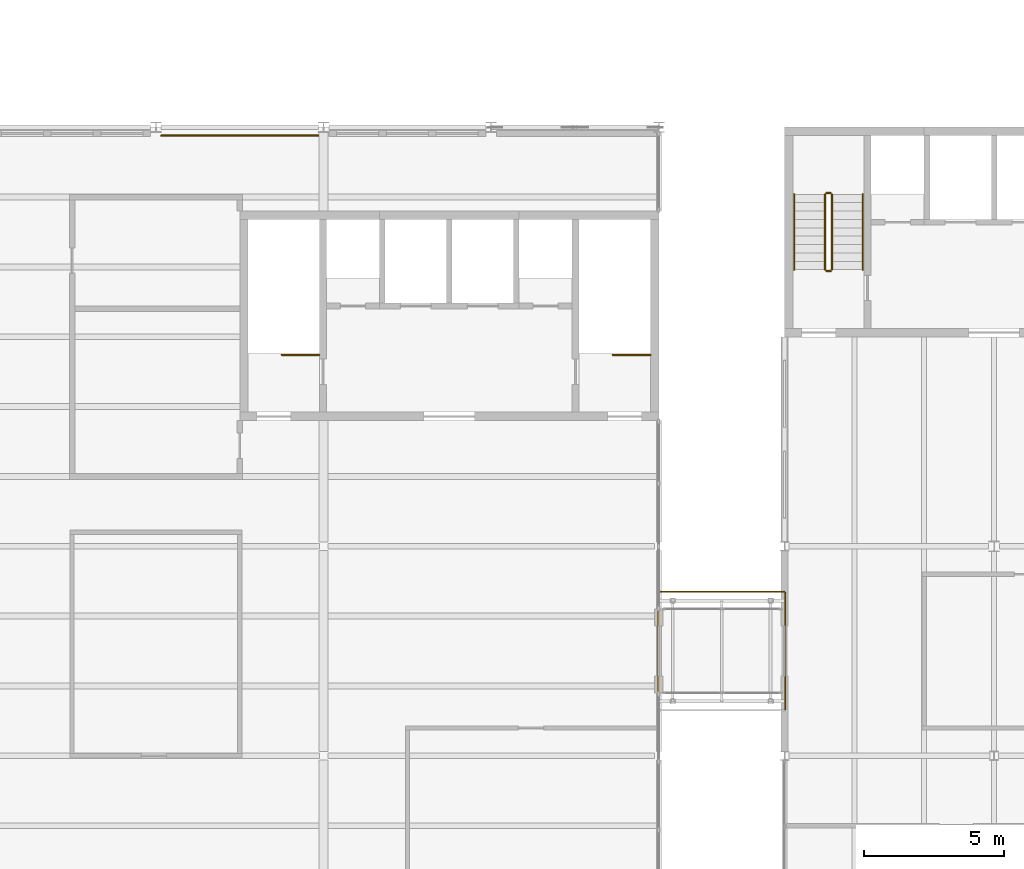
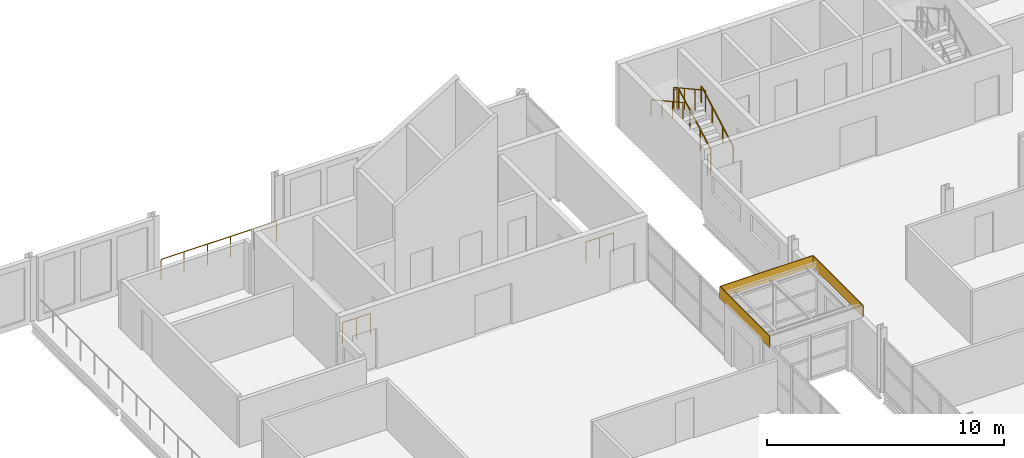
# One storey, part 195 of 214: 9 railings, 3 coverings.
"""IFC4 building model written with IfcOpenShell, lengths in metres."""

from ifc_helpers import new_model, si_unit, direction, frame, origin, origin_2d, place, context, subcontext, project, spatial, polyline, circle, outline, extrude, material, layer, layer_set, type_object, element, save


model = new_model("IFC4")

# Units and contexts
model_context = context("Model", 3, precision=1e-05, world=origin(), true_north=direction((0.0, 1.0)))
body_context = subcontext(model_context, "Body", "Model", "MODEL_VIEW")
ifc_project = project(units=[si_unit("LENGTHUNIT", "METRE"), si_unit("AREAUNIT", "SQUARE_METRE"), si_unit("VOLUMEUNIT", "CUBIC_METRE"), si_unit("PLANEANGLEUNIT", "RADIAN"), si_unit("MASSUNIT", "GRAM", prefix="KILO")], contexts=[model_context])

# Site, building, storey
site_placement = place(None, origin())
site = spatial("IfcSite", under=ifc_project, at=site_placement, CompositionType="ELEMENT")
building_placement = place(site_placement, origin())
building = spatial("IfcBuilding", under=site, at=building_placement, Name="Parallax Yard Mobility Hub", CompositionType="ELEMENT")
storey_placement = place(building_placement, frame((0.0, 0.0, 3.300048828125)))
storey = spatial("IfcBuildingStorey", under=building, at=storey_placement, Name="L01", CompositionType="ELEMENT", Elevation=3.300048828125)

# Railing
ifc_material_1 = material(Name="Steel ASTM A36", Category="steel")
railing_type_1 = type_object("IfcRailingType", Name="Mezzanine edge guard 1100", PredefinedType="GUARDRAIL", material=ifc_material_1)
railing_1_placement = place(storey_placement, frame((75.1865234375, 52.199951171875, 0.0)))
element("IfcRailing", 1, at=railing_1_placement, inside=storey, type_object=railing_type_1, Name="Bus deck mezzanine north edge guard level L01", PredefinedType="GUARDRAIL", context=body_context, shape_type="SweptSolid", body=[
    extrude(circle(Radius=0.02392578125, at=origin_2d()), frame((0.0, 0.0, 1.076171875), z_axis=(1.0, 0.0, 0.0), x_axis=(0.0, 1.0, 0.0)), (0.0, 0.0, 1.0), 5.626953125),
    extrude(circle(Radius=0.02099609375, at=origin_2d()), origin(), (0.0, 0.0, 1.0), 1.052001953125),
    extrude(circle(Radius=0.02099609375, at=origin_2d()), frame((1.12548828125, 0.0, 0.0)), (0.0, 0.0, 1.0), 1.052001953125),
    extrude(circle(Radius=0.02099609375, at=origin_2d()), frame((2.250732421875, 0.0, 0.0)), (0.0, 0.0, 1.0), 1.052001953125),
    extrude(circle(Radius=0.02099609375, at=origin_2d()), frame((3.376220703125, 0.0, 0.0)), (0.0, 0.0, 1.0), 1.052001953125),
    extrude(circle(Radius=0.02099609375, at=origin_2d()), frame((4.50146484375, 0.0, 0.0)), (0.0, 0.0, 1.0), 1.052001953125),
    extrude(circle(Radius=0.02099609375, at=origin_2d()), frame((5.626953125, 0.0, 0.0)), (0.0, 0.0, 1.0), 1.052001953125),
])

# Coverings
ifc_material_2 = material(Name="Aluminium composite fascia panel", Category="aluminium")
ifc_layer = layer(ifc_material_2, 0.0400390625)
ifc_layer_set = layer_set([ifc_layer], Name="Roof fascia 600")
covering_type = type_object("IfcCoveringType", Name="Roof fascia 600", PredefinedType="CLADDING", material=ifc_layer_set)
covering_1_placement = place(storey_placement, frame((97.5, 31.64990234375, 3.368896484375), z_axis=(-1.0, 0.0, 0.0), x_axis=(0.0, 1.0, 0.0)))
element("IfcCovering", 2, at=covering_1_placement, inside=storey, type_object=covering_type, Name="Fascia on roof edge BR-BR1-RF edge 2", PredefinedType="CLADDING", context=body_context, shape_type="SweptSolid", body=[
    extrude(outline(polyline([(0.0, 0.0), (4.2001953125, 0.0), (4.2001953125, 0.599853515625), (0.0, 0.599853515625), (0.0, 0.0)])), origin(), (0.0, 0.0, -1.0), 0.0400390625),
])
covering_2_placement = place(storey_placement, frame((97.5, 35.85009765625, 3.368896484375), z_axis=(0.0, -1.0, 0.0), x_axis=(-1.0, 0.0, 0.0)))
element("IfcCovering", 3, at=covering_2_placement, inside=storey, type_object=covering_type, Name="Fascia on roof edge BR-BR1-RF edge 3", PredefinedType="CLADDING", context=body_context, shape_type="SweptSolid", body=[
    extrude(outline(polyline([(0.0, 0.0), (4.5, 0.0), (4.5, 0.599853515625), (0.0, 0.599853515625), (0.0, 0.0)])), origin(), (0.0, 0.0, -1.0), 0.0400390625),
])
covering_3_placement = place(storey_placement, frame((93.0, 35.85009765625, 3.368896484375), z_axis=(1.0, 0.0, 0.0), x_axis=(0.0, -1.0, 0.0)))
element("IfcCovering", 4, at=covering_3_placement, inside=storey, type_object=covering_type, Name="Fascia on roof edge BR-BR1-RF edge 4", PredefinedType="CLADDING", context=body_context, shape_type="SweptSolid", body=[
    extrude(outline(polyline([(0.0, 0.0), (4.2001953125, 0.0), (4.2001953125, 0.599853515625), (0.0, 0.599853515625), (0.0, 0.0)])), origin(), (0.0, 0.0, -1.0), 0.0400390625),
])

# Railings
railing_type_2 = type_object("IfcRailingType", Name="Stair guard 1100", PredefinedType="GUARDRAIL", material=ifc_material_1)
railing_2_placement = place(storey_placement, frame((99.199951171875, 47.39990234375, 0.1650390625)))
element("IfcRailing", 5, at=railing_2_placement, inside=storey, type_object=railing_type_2, Name="L01 ST11 stair guard 1", PredefinedType="GUARDRAIL", context=body_context, shape_type="SweptSolid", body=[
    extrude(circle(Radius=0.02392578125, at=origin_2d()), frame((0.0, 0.0, 1.076171875), z_axis=(0.0, 0.876249361297, 0.481857921827), x_axis=(-1.0, 0.0, 0.0)), (0.0, 0.0, 1.0), 3.08154296875),
    extrude(circle(Radius=0.02099609375, at=origin_2d()), origin(), (0.0, 0.0, 1.0), 1.052001953125),
    extrude(circle(Radius=0.02099609375, at=origin_2d()), frame((0.0, 0.900146484375, 0.494873046875)), (0.0, 0.0, 1.0), 1.052001953125),
    extrude(circle(Radius=0.02099609375, at=origin_2d()), frame((0.0, 1.800048828125, 0.989990234375)), (0.0, 0.0, 1.0), 1.052001953125),
    extrude(circle(Radius=0.02099609375, at=origin_2d()), frame((0.0, 2.7001953125, 1.48486328125)), (0.0, 0.0, 1.0), 1.052001953125),
])
railing_3_placement = place(storey_placement, frame((99.14990234375, 50.14990234375, 1.64990234375)))
element("IfcRailing", 6, at=railing_3_placement, inside=storey, type_object=railing_type_2, Name="L01 ST11 stair guard 2", PredefinedType="GUARDRAIL", context=body_context, shape_type="SweptSolid", body=[
    extrude(circle(Radius=0.02392578125, at=origin_2d()), frame((0.0, 0.0, 1.076171875), z_axis=(-1.0, 0.0, 0.0), x_axis=(0.0, -1.0, 0.0)), (0.0, 0.0, 1.0), 0.14990234375),
    extrude(circle(Radius=0.02099609375, at=origin_2d()), origin(), (0.0, 0.0, 1.0), 1.052001953125),
    extrude(circle(Radius=0.02099609375, at=origin_2d()), frame((-0.14990234375, 0.0, 0.0)), (0.0, 0.0, 1.0), 1.052001953125),
])
railing_4_placement = place(storey_placement, frame((98.949951171875, 50.10009765625, 1.81494140625)))
element("IfcRailing", 7, at=railing_4_placement, inside=storey, type_object=railing_type_2, Name="L01 ST11 stair guard 3", PredefinedType="GUARDRAIL", context=body_context, shape_type="SweptSolid", body=[
    extrude(circle(Radius=0.02392578125, at=origin_2d()), frame((0.0, 0.0, 1.076171875), z_axis=(0.0, -0.876215908677, 0.481918749772), x_axis=(1.0, 0.0, 0.0)), (0.0, 0.0, 1.0), 3.08154296875),
    extrude(circle(Radius=0.02099609375, at=origin_2d()), origin(), (0.0, 0.0, 1.0), 1.052001953125),
    extrude(circle(Radius=0.02099609375, at=origin_2d()), frame((0.0, -0.900146484375, 0.4951171875)), (0.0, 0.0, 1.0), 1.052001953125),
    extrude(circle(Radius=0.02099609375, at=origin_2d()), frame((0.0, -1.800048828125, 0.989990234375)), (0.0, 0.0, 1.0), 1.052001953125),
    extrude(circle(Radius=0.02099609375, at=origin_2d()), frame((0.0, -2.7001953125, 1.485107421875)), (0.0, 0.0, 1.0), 1.052001953125),
])
railing_5_placement = place(storey_placement, frame((99.14990234375, 47.35009765625, 0.0)))
element("IfcRailing", 8, at=railing_5_placement, inside=storey, type_object=railing_type_2, Name="L01 ST11 stair guard 4", PredefinedType="GUARDRAIL", context=body_context, shape_type="SweptSolid", body=[
    extrude(circle(Radius=0.02392578125, at=origin_2d()), frame((0.0, 0.0, 1.076171875), z_axis=(-1.0, 0.0, 0.0), x_axis=(0.0, -1.0, 0.0)), (0.0, 0.0, 1.0), 0.14990234375),
    extrude(circle(Radius=0.02099609375, at=origin_2d()), origin(), (0.0, 0.0, 1.0), 1.052001953125),
    extrude(circle(Radius=0.02099609375, at=origin_2d()), frame((-0.14990234375, 0.0, 0.0)), (0.0, 0.0, 1.0), 1.052001953125),
])
railing_6_placement = place(storey_placement, frame((80.85009765625, 44.35009765625, 0.0)))
element("IfcRailing", 9, at=railing_6_placement, inside=storey, type_object=railing_type_2, Name="L01 ST17 top well guard 1", PredefinedType="GUARDRAIL", context=body_context, shape_type="SweptSolid", body=[
    extrude(circle(Radius=0.02392578125, at=origin_2d()), frame((0.0, 0.0, 1.076171875), z_axis=(-1.0, 0.0, 0.0), x_axis=(0.0, -1.0, 0.0)), (0.0, 0.0, 1.0), 1.35009765625),
    extrude(circle(Radius=0.02099609375, at=origin_2d()), origin(), (0.0, 0.0, 1.0), 1.052001953125),
    extrude(circle(Radius=0.02099609375, at=origin_2d()), frame((-0.675048828125, 0.0, 0.0)), (0.0, 0.0, 1.0), 1.052001953125),
    extrude(circle(Radius=0.02099609375, at=origin_2d()), frame((-1.35009765625, 0.0, 0.0)), (0.0, 0.0, 1.0), 1.052001953125),
])
railing_7_placement = place(storey_placement, frame((92.699951171875, 44.35009765625, 0.0)))
element("IfcRailing", 10, at=railing_7_placement, inside=storey, type_object=railing_type_2, Name="L01 ST18 top well guard 1", PredefinedType="GUARDRAIL", context=body_context, shape_type="SweptSolid", body=[
    extrude(circle(Radius=0.02392578125, at=origin_2d()), frame((0.0, 0.0, 1.076171875), z_axis=(-1.0, 0.0, 0.0), x_axis=(0.0, -1.0, 0.0)), (0.0, 0.0, 1.0), 1.349853515625),
    extrude(circle(Radius=0.02099609375, at=origin_2d()), origin(), (0.0, 0.0, 1.0), 1.052001953125),
    extrude(circle(Radius=0.02099609375, at=origin_2d()), frame((-0.6748046875, 0.0, 0.0)), (0.0, 0.0, 1.0), 1.052001953125),
    extrude(circle(Radius=0.02099609375, at=origin_2d()), frame((-1.349853515625, 0.0, 0.0)), (0.0, 0.0, 1.0), 1.052001953125),
])
railing_type_3 = type_object("IfcRailingType", Name="Stair handrail", PredefinedType="HANDRAIL", material=ifc_material_1)
railing_8_placement = place(storey_placement, frame((100.300048828125, 47.39990234375, 0.1650390625)))
element("IfcRailing", 11, at=railing_8_placement, inside=storey, type_object=railing_type_3, Name="L01 ST11 stair handrail 1", PredefinedType="HANDRAIL", context=body_context, shape_type="SweptSolid", body=[
    extrude(circle(Radius=0.02392578125, at=origin_2d()), frame((0.0, 0.0, 0.8310546875), z_axis=(0.0, 0.876249361297, 0.481857921827), x_axis=(-1.0, 0.0, 0.0)), (0.0, 0.0, 1.0), 3.08154296875),
    extrude(circle(Radius=0.02099609375, at=origin_2d()), origin(), (0.0, 0.0, 1.0), 0.806884765625),
    extrude(circle(Radius=0.02099609375, at=origin_2d()), frame((0.0, 0.900146484375, 0.494873046875)), (0.0, 0.0, 1.0), 0.806884765625),
    extrude(circle(Radius=0.02099609375, at=origin_2d()), frame((0.0, 1.800048828125, 0.989990234375)), (0.0, 0.0, 1.0), 0.806884765625),
    extrude(circle(Radius=0.02099609375, at=origin_2d()), frame((0.0, 2.7001953125, 1.48486328125)), (0.0, 0.0, 1.0), 0.806884765625),
])
railing_9_placement = place(storey_placement, frame((97.85009765625, 50.10009765625, 1.81494140625)))
element("IfcRailing", 12, at=railing_9_placement, inside=storey, type_object=railing_type_3, Name="L01 ST11 stair handrail 2", PredefinedType="HANDRAIL", context=body_context, shape_type="SweptSolid", body=[
    extrude(circle(Radius=0.02392578125, at=origin_2d()), frame((0.0, 0.0, 0.8310546875), z_axis=(0.0, -0.876215908677, 0.481918749772), x_axis=(1.0, 0.0, 0.0)), (0.0, 0.0, 1.0), 3.08154296875),
    extrude(circle(Radius=0.02099609375, at=origin_2d()), origin(), (0.0, 0.0, 1.0), 0.806884765625),
    extrude(circle(Radius=0.02099609375, at=origin_2d()), frame((0.0, -0.900146484375, 0.4951171875)), (0.0, 0.0, 1.0), 0.806884765625),
    extrude(circle(Radius=0.02099609375, at=origin_2d()), frame((0.0, -1.800048828125, 0.989990234375)), (0.0, 0.0, 1.0), 0.806884765625),
    extrude(circle(Radius=0.02099609375, at=origin_2d()), frame((0.0, -2.7001953125, 1.485107421875)), (0.0, 0.0, 1.0), 0.806884765625),
])

save(model, "model.ifc")
